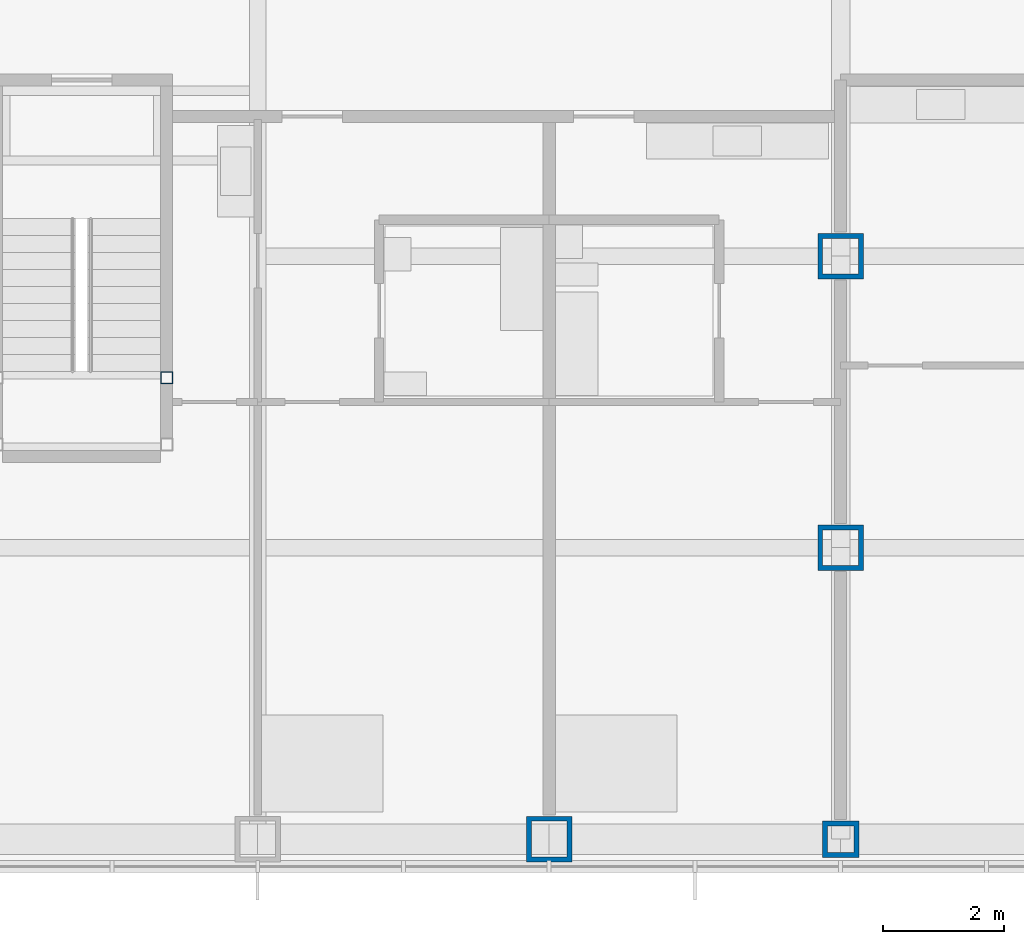
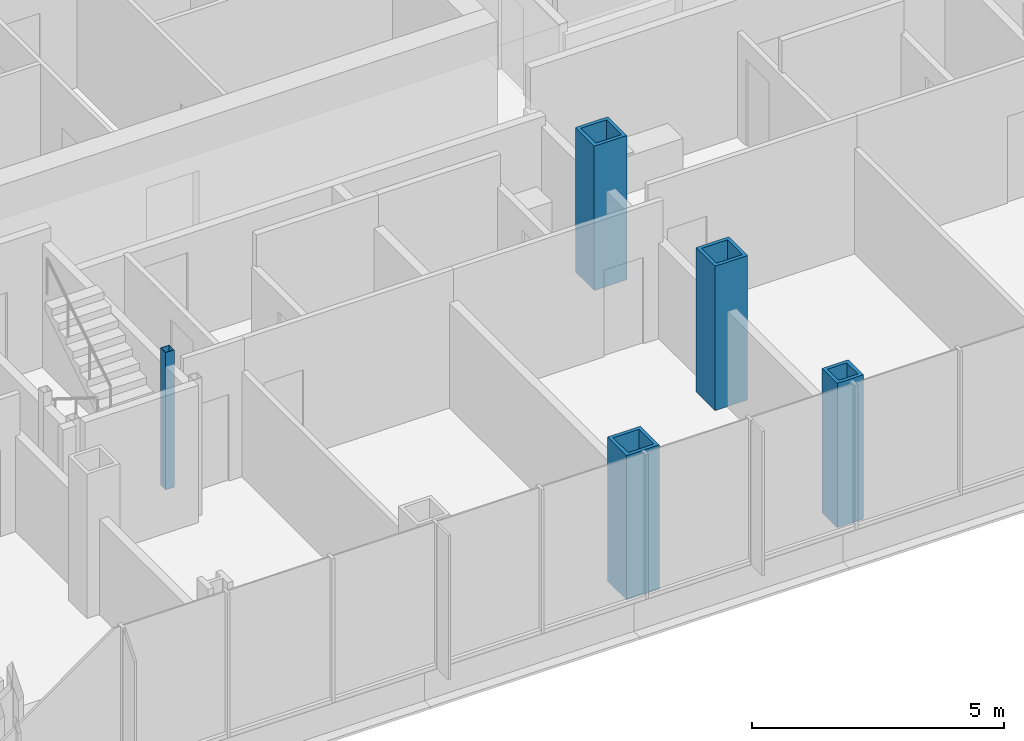
# One storey, part 2 of 21: 5 columns.
"""IFC4 building model written with IfcOpenShell, lengths in metres."""

from ifc_helpers import new_model, si_unit, direction, frame, origin, origin_2d, place, context, subcontext, project, spatial, hollow_rectangle, extrude, material, material_profile, profile_set, type_object, element, save


model = new_model("IFC4")

# Units and contexts
model_context = context("Model", 3, precision=1e-05, world=origin(), true_north=direction((0.0, 1.0)))
body_context = subcontext(model_context, "Body", "Model", "MODEL_VIEW")
ifc_project = project(units=[si_unit("LENGTHUNIT", "METRE"), si_unit("AREAUNIT", "SQUARE_METRE"), si_unit("VOLUMEUNIT", "CUBIC_METRE"), si_unit("PLANEANGLEUNIT", "RADIAN"), si_unit("MASSUNIT", "GRAM", prefix="KILO")], contexts=[model_context])

# Site, building, storey
site_placement = place(None, origin())
site = spatial("IfcSite", under=ifc_project, at=site_placement, CompositionType="ELEMENT")
building_placement = place(site_placement, origin())
building = spatial("IfcBuilding", under=site, at=building_placement, Name="Kvirike Care Tower", CompositionType="ELEMENT")
storey_placement = place(building_placement, frame((0.0, 0.0, 41.0)))
storey = spatial("IfcBuildingStorey", under=building, at=storey_placement, Name="L10", CompositionType="ELEMENT", Elevation=41.0)

# Columns
ifc_material_1 = material(Name="Steel S460", Category="steel")
ifc_material_profile_1 = material_profile(ifc_material_1, hollow_rectangle(XDim=0.60009765625, YDim=0.60009765625, WallThickness=0.080078125, at=origin_2d()), Name="BX 600x600x80")
ifc_profile_set_1 = profile_set([ifc_material_profile_1], Name="Steel S460")
column_type_1 = type_object("IfcColumnType", Name="COLUMN BX 600x600x80", PredefinedType="COLUMN", material=ifc_profile_set_1)
column_1_placement = place(storey_placement, frame((28.800048828125, 14.39990234375, 0.0), z_axis=(0.0, 0.0, 1.0), x_axis=(0.0, 1.0, 0.0)))
element("IfcColumn", 1, at=column_1_placement, inside=storey, type_object=column_type_1, Name="Column D9 L10", PredefinedType="COLUMN", context=body_context, shape_type="SweptSolid", body=[
    extrude(hollow_rectangle(XDim=0.60009765625, YDim=0.60009765625, WallThickness=0.080078125, at=origin_2d()), origin(), (0.0, 0.0, 1.0), 3.5),
])
ifc_material_2 = material(Name="Steel S460", Category="steel")
ifc_material_profile_2 = material_profile(ifc_material_2, hollow_rectangle(XDim=0.75, YDim=0.75, WallThickness=0.080078125, at=origin_2d()), Name="BX 750x750x80")
ifc_profile_set_2 = profile_set([ifc_material_profile_2], Name="Steel S460")
column_type_2 = type_object("IfcColumnType", Name="COLUMN BX 750x750x80", PredefinedType="COLUMN", material=ifc_profile_set_2)
for number, where, z_axis, x_axis, name in (
    (2, (24.0, 14.39990234375, 0.0), (0.0, 0.0, 1.0), (0.0, 1.0, 0.0), "Column D8 L10"),
    (3, (28.800048828125, 19.199951171875, 0.0), (0.0, 0.0, 1.0), (1.0, 0.0, 0.0), "Column E9 L10"),
    (4, (28.800048828125, 24.0, 0.0), (0.0, 0.0, 1.0), (1.0, 0.0, 0.0), "Column F9 L10"),
):
    element("IfcColumn", number, at=place(storey_placement, frame(where, z_axis=z_axis, x_axis=x_axis)), inside=storey, type_object=column_type_2, Name=name, PredefinedType="COLUMN", context=body_context, shape_type="SweptSolid", body=[
        extrude(hollow_rectangle(XDim=0.75, YDim=0.75, WallThickness=0.080078125, at=origin_2d()), origin(), (0.0, 0.0, 1.0), 3.5),
    ])
ifc_material_3 = material(Name="Steel S460", Category="steel")
ifc_material_profile_3 = material_profile(ifc_material_3, hollow_rectangle(XDim=0.199951171875, YDim=0.199951171875, WallThickness=0.008056640625, at=origin_2d()), Name="SHS 200x200x8")
ifc_profile_set_3 = profile_set([ifc_material_profile_3], Name="Steel S460")
column_type_3 = type_object("IfcColumnType", Name="STAIR POST SHS 200x200x8", PredefinedType="COLUMN", material=ifc_profile_set_3)
column_2_placement = place(storey_placement, frame((17.699951171875, 22.0, 0.0), z_axis=(0.0, 0.0, 1.0), x_axis=(1.0, 0.0, 0.0)))
element("IfcColumn", 5, at=column_2_placement, inside=storey, type_object=column_type_3, Name="Stair 5 post 4 L10", PredefinedType="COLUMN", context=body_context, shape_type="SweptSolid", body=[
    extrude(hollow_rectangle(XDim=0.199951171875, YDim=0.199951171875, WallThickness=0.008056640625, at=origin_2d()), origin(), (0.0, 0.0, 1.0), 3.330078125),
])

save(model, "model.ifc")
